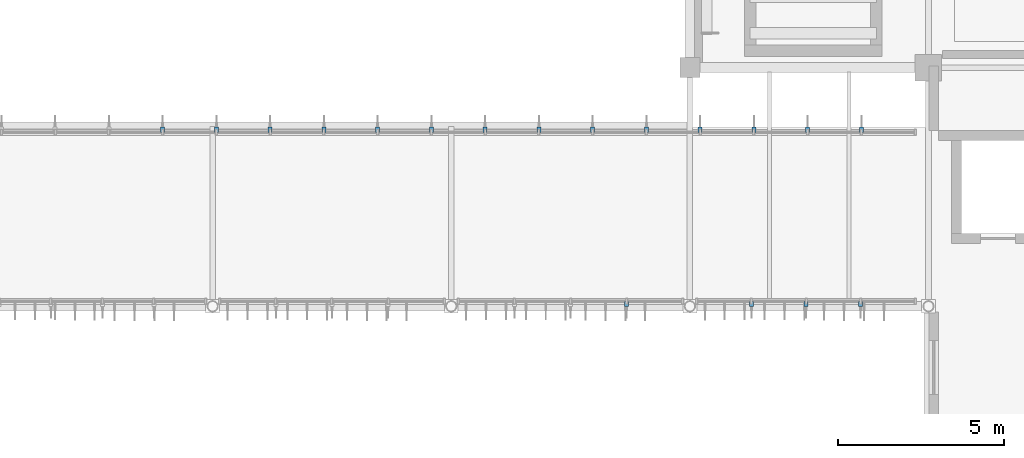
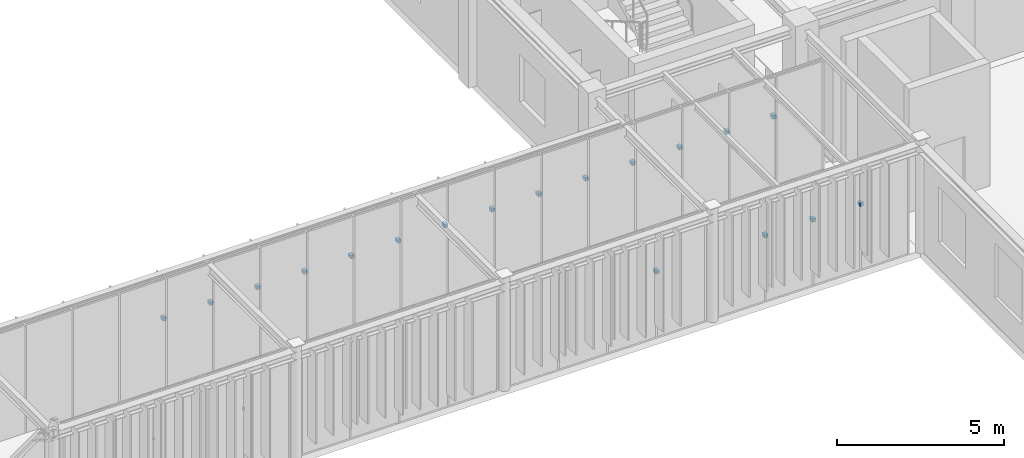
# One storey, part 51 of 104: 18 discrete accessories.
"""IFC4 building model written with IfcOpenShell, lengths in metres."""

from ifc_helpers import new_model, si_unit, direction, frame, origin, origin_2d, place, context, subcontext, project, spatial, rectangle, extrude, material, type_object, element, save


model = new_model("IFC4")

# Units and contexts
model_context = context("Model", 3, precision=1e-05, world=origin(), true_north=direction((0.0, 1.0)))
body_context = subcontext(model_context, "Body", "Model", "MODEL_VIEW")
ifc_project = project(units=[si_unit("LENGTHUNIT", "METRE"), si_unit("AREAUNIT", "SQUARE_METRE"), si_unit("VOLUMEUNIT", "CUBIC_METRE"), si_unit("PLANEANGLEUNIT", "RADIAN"), si_unit("MASSUNIT", "GRAM", prefix="KILO")], contexts=[model_context])

# Site, building, storey
site_placement = place(None, origin())
site = spatial("IfcSite", under=ifc_project, at=site_placement, CompositionType="ELEMENT")
building_placement = place(site_placement, origin())
building = spatial("IfcBuilding", under=site, at=building_placement, Name="Tazoul Stagehouse", CompositionType="ELEMENT")
storey_placement = place(building_placement, frame((0.0, 0.0, 9.0)))
storey = spatial("IfcBuildingStorey", under=building, at=storey_placement, Name="L02", CompositionType="ELEMENT", Elevation=9.0)

# Discrete accessories
ifc_material = material(Name="Austenitic Stainless Steel EN 1.4401", Category="steel")
discrete_accessory_type = type_object("IfcDiscreteAccessoryType", Name="Stainless Steel Louvre Support Cleat Bracket", PredefinedType="BRACKET", material=ifc_material)
for number, where, z_axis, x_axis, name in (
    (1, (48.493896484375, 44.669921875, 2.3486328125), (0.0, 0.0, 1.0), (1.0, 0.0, 0.0), "Cleat Bracket BRK-01 CW-WLNK-S-L02-B3-BRK03"),
    (2, (52.259033203125, 44.669921875, 2.3486328125), (0.0, 0.0, 1.0), (1.0, 0.0, 0.0), "Cleat Bracket BRK-01 CW-WLNK-S-L02-B4-BRK01"),
    (3, (53.906005859375, 44.669921875, 2.3486328125), (0.0, 0.0, 1.0), (1.0, 0.0, 0.0), "Cleat Bracket BRK-01 CW-WLNK-S-L02-B4-BRK02"),
    (4, (55.552978515625, 44.669921875, 2.3486328125), (0.0, 0.0, 1.0), (1.0, 0.0, 0.0), "Cleat Bracket BRK-01 CW-WLNK-S-L02-B4-BRK03"),
    (5, (34.489013671875, 49.929931640625, 2.3486328125), (0.0, 0.0, 1.0), (1.0, 0.0, 0.0), "Cleat Bracket BRK-01 CW-WLNK-N-L02-BRK04"),
    (6, (36.111083984375, 49.929931640625, 2.3486328125), (0.0, 0.0, 1.0), (1.0, 0.0, 0.0), "Cleat Bracket BRK-01 CW-WLNK-N-L02-BRK05"),
    (7, (37.7333984375, 49.929931640625, 2.3486328125), (0.0, 0.0, 1.0), (1.0, 0.0, 0.0), "Cleat Bracket BRK-01 CW-WLNK-N-L02-BRK06"),
    (8, (39.355712890625, 49.929931640625, 2.3486328125), (0.0, 0.0, 1.0), (1.0, 0.0, 0.0), "Cleat Bracket BRK-01 CW-WLNK-N-L02-BRK07"),
    (9, (40.977783203125, 49.929931640625, 2.3486328125), (0.0, 0.0, 1.0), (1.0, 0.0, 0.0), "Cleat Bracket BRK-01 CW-WLNK-N-L02-BRK08"),
    (10, (42.60009765625, 49.929931640625, 2.3486328125), (0.0, 0.0, 1.0), (1.0, 0.0, 0.0), "Cleat Bracket BRK-01 CW-WLNK-N-L02-BRK09"),
    (11, (44.22216796875, 49.929931640625, 2.3486328125), (0.0, 0.0, 1.0), (1.0, 0.0, 0.0), "Cleat Bracket BRK-01 CW-WLNK-N-L02-BRK10"),
    (12, (45.844482421875, 49.929931640625, 2.3486328125), (0.0, 0.0, 1.0), (1.0, 0.0, 0.0), "Cleat Bracket BRK-01 CW-WLNK-N-L02-BRK11"),
    (13, (47.466796875, 49.929931640625, 2.3486328125), (0.0, 0.0, 1.0), (1.0, 0.0, 0.0), "Cleat Bracket BRK-01 CW-WLNK-N-L02-BRK12"),
    (14, (49.0888671875, 49.929931640625, 2.3486328125), (0.0, 0.0, 1.0), (1.0, 0.0, 0.0), "Cleat Bracket BRK-01 CW-WLNK-N-L02-BRK13"),
    (15, (50.711181640625, 49.929931640625, 2.3486328125), (0.0, 0.0, 1.0), (1.0, 0.0, 0.0), "Cleat Bracket BRK-01 CW-WLNK-N-L02-BRK14"),
    (16, (52.333251953125, 49.929931640625, 2.3486328125), (0.0, 0.0, 1.0), (1.0, 0.0, 0.0), "Cleat Bracket BRK-01 CW-WLNK-N-L02-BRK15"),
    (17, (53.95556640625, 49.929931640625, 2.3486328125), (0.0, 0.0, 1.0), (1.0, 0.0, 0.0), "Cleat Bracket BRK-01 CW-WLNK-N-L02-BRK16"),
    (18, (55.577880859375, 49.929931640625, 2.3486328125), (0.0, 0.0, 1.0), (1.0, 0.0, 0.0), "Cleat Bracket BRK-01 CW-WLNK-N-L02-BRK17"),
):
    element("IfcDiscreteAccessory", number, at=place(storey_placement, frame(where, z_axis=z_axis, x_axis=x_axis)), inside=storey, type_object=discrete_accessory_type, Name=name, PredefinedType="BRACKET", context=body_context, shape_type="SweptSolid", body=[
        extrude(rectangle(XDim=0.1201171875, YDim=0.159912109375, at=origin_2d()), origin(), (0.0, 0.0, 1.0), 0.1201171875),
    ])

save(model, "model.ifc")
